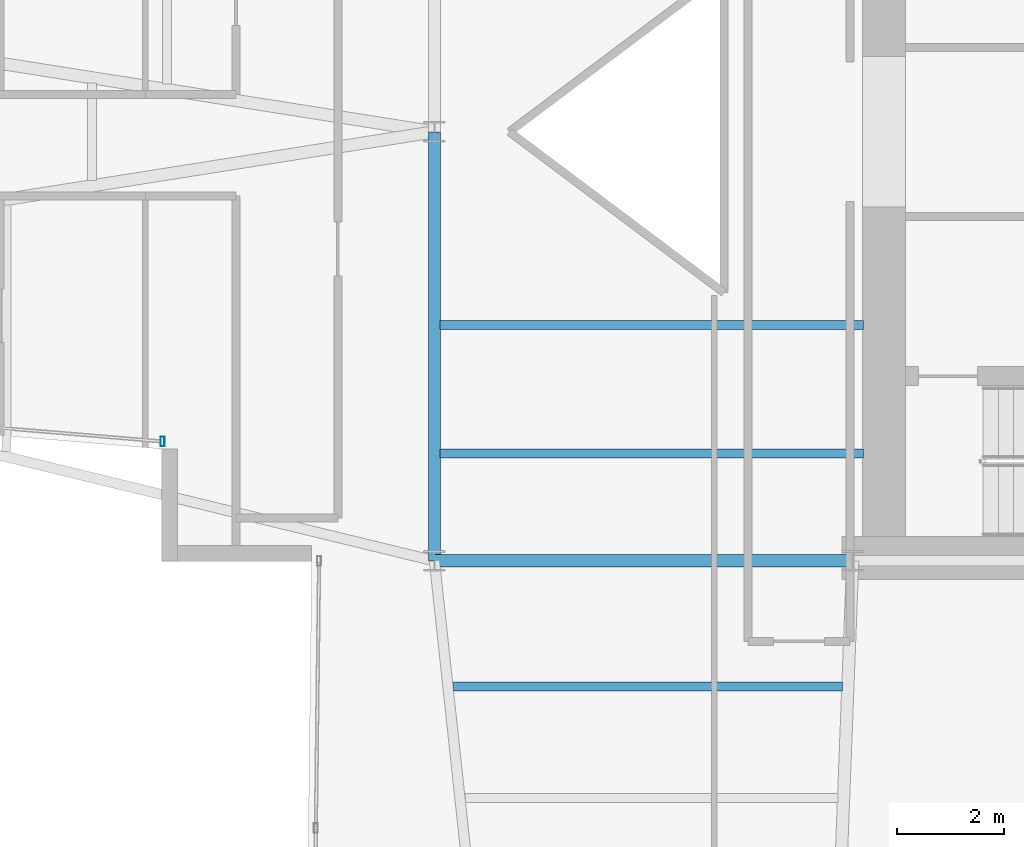
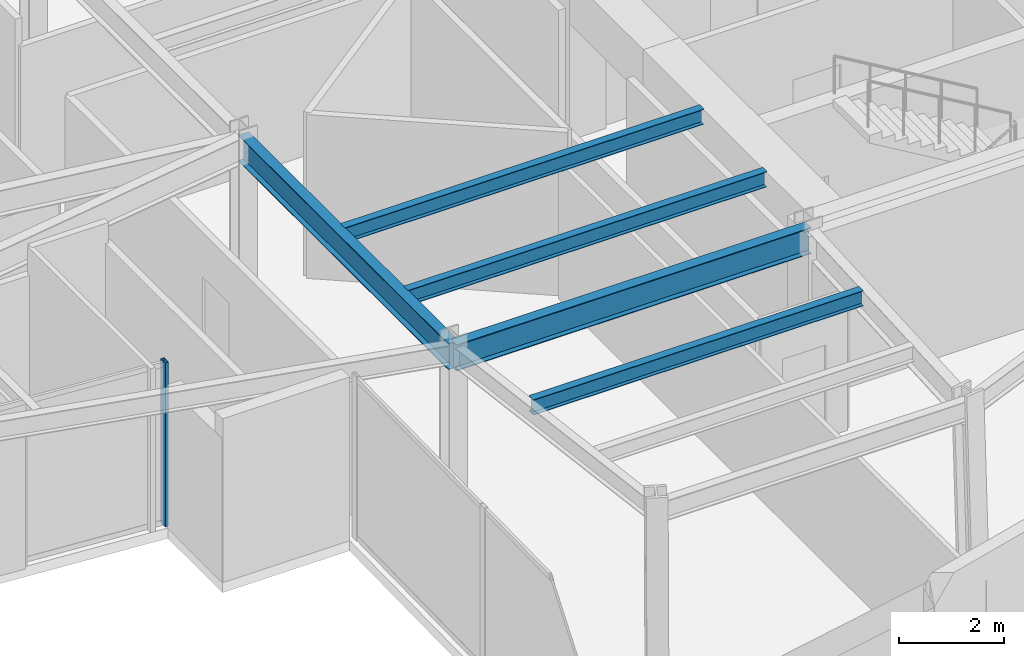
# One storey, part 5 of 25: 5 beams, 1 member, 1 element without a shape of its own.
"""IFC4 building model written with IfcOpenShell, lengths in metres."""

from ifc_helpers import new_model, si_unit, direction, frame, origin, origin_2d, place, context, subcontext, project, spatial, hollow_rectangle, i_section, extrude, material, layer, layer_set, material_profile, profile_set, type_object, element, aggregate, save


model = new_model("IFC4")

# Units and contexts
model_context = context("Model", 3, precision=1e-05, world=origin(), true_north=direction((0.0, 1.0)))
body_context = subcontext(model_context, "Body", "Model", "MODEL_VIEW")
ifc_project = project(units=[si_unit("LENGTHUNIT", "METRE"), si_unit("AREAUNIT", "SQUARE_METRE"), si_unit("VOLUMEUNIT", "CUBIC_METRE"), si_unit("PLANEANGLEUNIT", "RADIAN"), si_unit("MASSUNIT", "GRAM", prefix="KILO")], contexts=[model_context])

# Site, building, storey
site_placement = place(None, origin())
site = spatial("IfcSite", under=ifc_project, at=site_placement, CompositionType="ELEMENT")
building_placement = place(site_placement, origin())
building = spatial("IfcBuilding", under=site, at=building_placement, Name="Veymaron Broadcast Tower", CompositionType="ELEMENT")
storey_placement = place(building_placement, frame((0.0, 0.0, 137.10009765625)))
storey = spatial("IfcBuildingStorey", under=building, at=storey_placement, Name="L31", CompositionType="ELEMENT", Elevation=137.10009765625)

# Beams
ifc_material_1 = material(Name="Structural steel ASTM A992 Gr 50", Category="steel")
ifc_material_profile_1 = material_profile(ifc_material_1, i_section(OverallWidth=0.22802734375, OverallDepth=0.60791015625, WebThickness=0.01123046875, FlangeThickness=0.017333984375, at=origin_2d()), Name="W610X113")
ifc_profile_set_1 = profile_set([ifc_material_profile_1], Name="Structural steel ASTM A992 Gr 50")
beam_type_1 = type_object("IfcBeamType", Name="BM-FG2", PredefinedType="BEAM", material=ifc_profile_set_1)
beam_1_placement = place(storey_placement, frame((31.199951171875, 16.0, 3.505859375), z_axis=(0.0, 1.0, 0.0), x_axis=(-1.0, 0.0, 0.0)))
element("IfcBeam", 1, at=beam_1_placement, inside=storey, type_object=beam_type_1, Name="L31 primary structural floor girder", PredefinedType="BEAM", context=body_context, shape_type="SweptSolid", body=[
    extrude(i_section(OverallWidth=0.22802734375, OverallDepth=0.60791015625, WebThickness=0.01123046875, FlangeThickness=0.017333984375, at=origin_2d()), origin(), (0.0, 0.0, 1.0), 8.0),
])
beam_2_placement = place(storey_placement, frame((31.199951171875, 16.0, 3.505859375), z_axis=(1.0, 0.0, 0.0), x_axis=(0.0, 1.0, 0.0)))
element("IfcBeam", 2, at=beam_2_placement, inside=storey, type_object=beam_type_1, Name="L31 primary structural floor girder", PredefinedType="BEAM", context=body_context, shape_type="SweptSolid", body=[
    extrude(i_section(OverallWidth=0.22802734375, OverallDepth=0.60791015625, WebThickness=0.01123046875, FlangeThickness=0.017333984375, at=origin_2d()), origin(), (0.0, 0.0, 1.0), 7.800048828125),
])
ifc_material_profile_2 = material_profile(ifc_material_1, i_section(OverallWidth=0.1708984375, OverallDepth=0.35498046875, WebThickness=0.007080078125, FlangeThickness=0.01171875, at=origin_2d()), Name="W360X51")
ifc_profile_set_2 = profile_set([ifc_material_profile_2], Name="Structural steel ASTM A992 Gr 50")
beam_type_2 = type_object("IfcBeamType", Name="BM-JS2", PredefinedType="JOIST", material=ifc_profile_set_2)
beam_3_placement = place(storey_placement, frame((31.552001953125, 13.659912109375, 3.63232421875), z_axis=(1.0, 0.0, 0.0), x_axis=(0.0, 1.0, 0.0)))
element("IfcBeam", 3, at=beam_3_placement, inside=storey, type_object=beam_type_2, Name="L31 Arm-C secondary joist 1", PredefinedType="JOIST", context=body_context, shape_type="SweptSolid", body=[
    extrude(i_section(OverallWidth=0.1708984375, OverallDepth=0.35498046875, WebThickness=0.007080078125, FlangeThickness=0.01171875, at=origin_2d()), origin(), (0.0, 0.0, 1.0), 7.258056640625),
])
for number, where, z_axis, x_axis, name in (
    (4, (31.300048828125, 18.0, 3.63232421875), (1.0, 0.0, 0.0), (0.0, 1.0, 0.0), "L31 Hub secondary joist 1"),
    (5, (31.300048828125, 20.39990234375, 3.63232421875), (1.0, 0.0, 0.0), (0.0, 1.0, 0.0), "L31 Hub secondary joist 2"),
):
    element("IfcBeam", number, at=place(storey_placement, frame(where, z_axis=z_axis, x_axis=x_axis)), inside=storey, type_object=beam_type_2, Name=name, PredefinedType="JOIST", context=body_context, shape_type="SweptSolid", body=[
        extrude(i_section(OverallWidth=0.1708984375, OverallDepth=0.35498046875, WebThickness=0.007080078125, FlangeThickness=0.01171875, at=origin_2d()), origin(), (0.0, 0.0, 1.0), 7.89990234375),
    ])

# Curtain wall, member
ifc_material_2 = material(Name="Anodised aluminium AA 6063-T6 and laminated low-E dark glass", Category="aluminium")
ifc_layer = layer(ifc_material_2, 0.179931640625)
ifc_layer_set = layer_set([ifc_layer], Name="Anodised aluminium AA 6063-T6 and laminated low-E dark glass")
curtain_wall_type = type_object("IfcCurtainWallType", Name="CW-SYS-03", PredefinedType="NOTDEFINED", material=ifc_layer_set)
curtain_wall_placement = place(storey_placement, origin())
curtain_wall = element("IfcCurtainWall", 6, at=curtain_wall_placement, inside=storey, type_object=curtain_wall_type, Name="L31 dark-glass curtain wall CW-L31-E14-1", PredefinedType="NOTDEFINED")
ifc_material_3 = material(Name="Anodised aluminium AA 6063-T6", Category="aluminium")
ifc_material_profile_3 = material_profile(ifc_material_3, hollow_rectangle(XDim=0.074951171875, YDim=0.179931640625, WallThickness=0.0048828125, at=origin_2d()), Name="AL180X75X5")
ifc_profile_set_3 = profile_set([ifc_material_profile_3], Name="Anodised aluminium AA 6063-T6")
member_type = type_object("IfcMemberType", Name="CW-MUL-02", PredefinedType="MULLION", material=ifc_profile_set_3)
member_placement = place(storey_placement, frame((26.131591796875, 18.225341796875, 0.0), z_axis=(0.0, 0.0, 1.0), x_axis=(1.0, 0.0, 0.0)))
member = element("IfcMember", 7, at=member_placement, type_object=member_type, Name="CW-L31-E14-1 mullion 2", PredefinedType="MULLION", context=body_context, shape_type="SweptSolid", body=[
    extrude(hollow_rectangle(XDim=0.074951171875, YDim=0.179931640625, WallThickness=0.0048828125, at=origin_2d()), origin(), (0.0, 0.0, 1.0), 3.809814453125),
])
aggregate(curtain_wall, [member])

save(model, "model.ifc")
